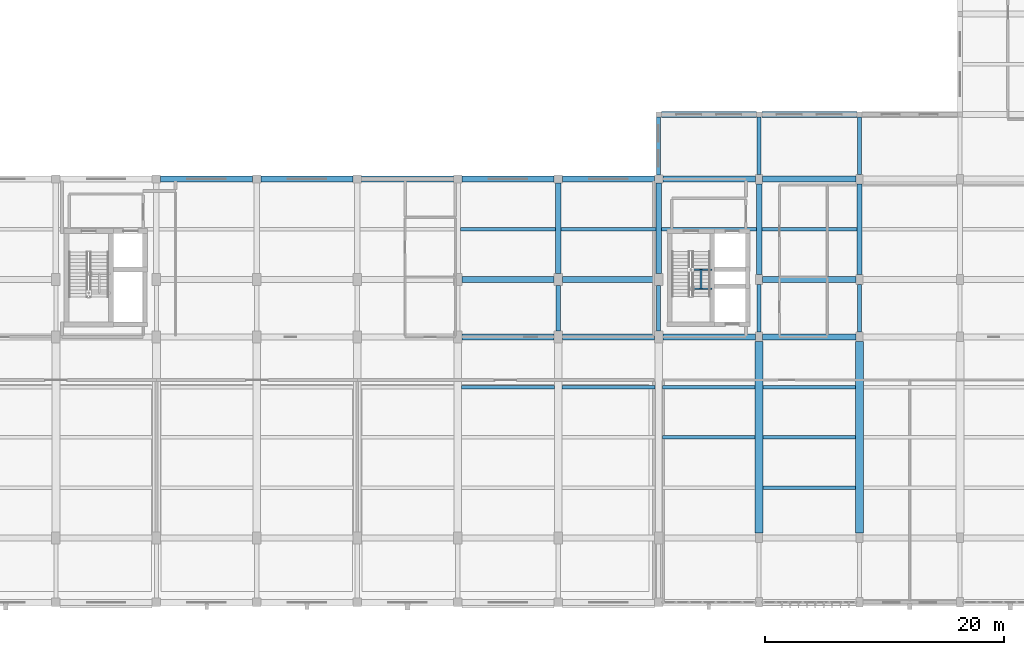
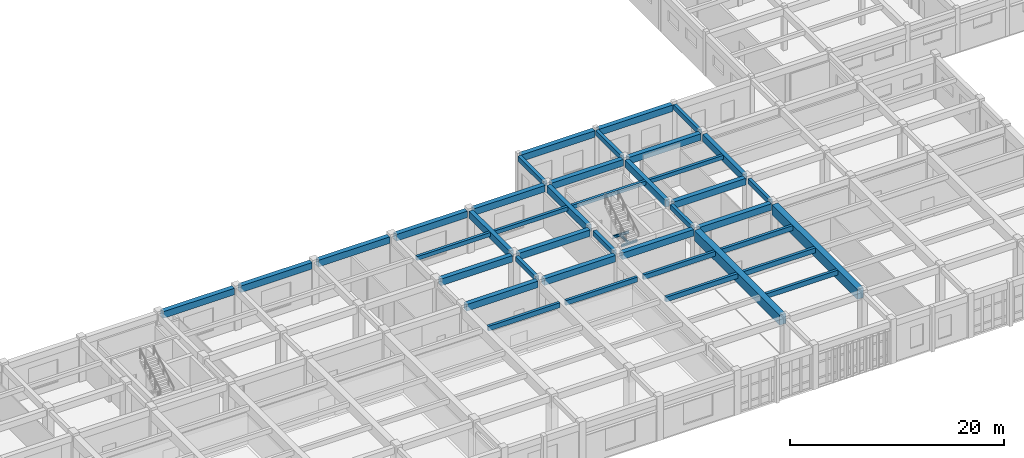
# One storey, part 29 of 106: 43 beams.
"""IFC4 building model written with IfcOpenShell, lengths in metres."""

from ifc_helpers import new_model, si_unit, direction, frame, origin, origin_2d, place, context, subcontext, project, spatial, rectangle, i_section, extrude, material, material_profile, profile_set, type_object, element, save


model = new_model("IFC4")

# Units and contexts
model_context = context("Model", 3, precision=1e-05, world=origin(), true_north=direction((0.0, 1.0)))
body_context = subcontext(model_context, "Body", "Model", "MODEL_VIEW")
ifc_project = project(units=[si_unit("LENGTHUNIT", "METRE"), si_unit("AREAUNIT", "SQUARE_METRE"), si_unit("VOLUMEUNIT", "CUBIC_METRE"), si_unit("PLANEANGLEUNIT", "RADIAN"), si_unit("MASSUNIT", "GRAM", prefix="KILO")], contexts=[model_context])

# Site, building, storey
site_placement = place(None, origin())
site = spatial("IfcSite", under=ifc_project, at=site_placement, CompositionType="ELEMENT")
building_placement = place(site_placement, origin())
building = spatial("IfcBuilding", under=site, at=building_placement, Name="Krzemoval Escarpment Law Courts", CompositionType="ELEMENT")
storey_placement = place(building_placement, frame((0.0, 0.0, 5.10009765625)))
storey = spatial("IfcBuildingStorey", under=building, at=storey_placement, Name="L01", CompositionType="ELEMENT", Elevation=5.10009765625)

# Beams
ifc_material_1 = material(Name="Concrete C50/60", Category="concrete")
ifc_material_profile_1 = material_profile(ifc_material_1, rectangle(XDim=0.64990234375, YDim=1.14990234375, at=origin_2d()), Name="PTG 650x1150")
ifc_profile_set_1 = profile_set([ifc_material_profile_1], Name="Concrete C50/60")
beam_type_1 = type_object("IfcBeamType", Name="BM-PTG-650x1150", PredefinedType="BEAM", material=ifc_profile_set_1)
for number, where, z_axis, x_axis, name in (
    (1, (117.60009765625, 5.800048828125, 4.244873046875), (0.0, 1.0, 0.0), (-1.0, 0.0, 0.0), "Beam FG-L01-1502"),
    (2, (126.0, 5.800048828125, 4.244873046875), (0.0, 1.0, 0.0), (-1.0, 0.0, 0.0), "Beam FG-L01-1509"),
):
    element("IfcBeam", number, at=place(storey_placement, frame(where, z_axis=z_axis, x_axis=x_axis)), inside=storey, type_object=beam_type_1, Name=name, PredefinedType="BEAM", context=body_context, shape_type="SweptSolid", body=[
        extrude(rectangle(XDim=0.64990234375, YDim=1.14990234375, at=origin_2d()), origin(), (0.0, 0.0, 1.0), 16.0),
    ])
ifc_material_2 = material(Name="Concrete C40/50", Category="concrete")
ifc_material_profile_2 = material_profile(ifc_material_2, rectangle(XDim=0.35009765625, YDim=0.550048828125, at=origin_2d()), Name="RCB 350x550")
ifc_profile_set_2 = profile_set([ifc_material_profile_2], Name="Concrete C40/50")
beam_type_2 = type_object("IfcBeamType", Name="BM-RC-350x550", PredefinedType="BEAM", material=ifc_profile_set_2)
for number, where, z_axis, x_axis, name in (
    (3, (100.800048828125, 22.699951171875, 4.544921875), (0.0, 1.0, 0.0), (-1.0, 0.0, 0.0), "Beam FG-L01-1490"),
    (4, (109.199951171875, 22.699951171875, 4.544921875), (0.0, 1.0, 0.0), (-1.0, 0.0, 0.0), "Beam FG-L01-1496"),
):
    element("IfcBeam", number, at=place(storey_placement, frame(where, z_axis=z_axis, x_axis=x_axis)), inside=storey, type_object=beam_type_2, Name=name, PredefinedType="BEAM", context=body_context, shape_type="SweptSolid", body=[
        extrude(rectangle(XDim=0.35009765625, YDim=0.550048828125, at=origin_2d()), origin(), (0.0, 0.0, 1.0), 3.800048828125),
    ])
beam_1_placement = place(storey_placement, frame((109.199951171875, 35.75, 4.544921875), z_axis=(0.0, 1.0, 0.0), x_axis=(-1.0, 0.0, 0.0)))
element("IfcBeam", 5, at=beam_1_placement, inside=storey, type_object=beam_type_2, Name="Beam FG-L01-1498", PredefinedType="BEAM", context=body_context, shape_type="SweptSolid", body=[
    extrude(rectangle(XDim=0.35009765625, YDim=0.550048828125, at=origin_2d()), origin(), (0.0, 0.0, 1.0), 4.824951171875),
])
beam_2_placement = place(storey_placement, frame((117.60009765625, 22.60009765625, 4.544921875), z_axis=(0.0, 1.0, 0.0), x_axis=(-1.0, 0.0, 0.0)))
element("IfcBeam", 6, at=beam_2_placement, inside=storey, type_object=beam_type_2, Name="Beam FG-L01-1503", PredefinedType="BEAM", context=body_context, shape_type="SweptSolid", body=[
    extrude(rectangle(XDim=0.35009765625, YDim=0.550048828125, at=origin_2d()), origin(), (0.0, 0.0, 1.0), 4.0),
])
beam_3_placement = place(storey_placement, frame((117.60009765625, 35.800048828125, 4.544921875), z_axis=(0.0, 1.0, 0.0), x_axis=(-1.0, 0.0, 0.0)))
element("IfcBeam", 7, at=beam_3_placement, inside=storey, type_object=beam_type_2, Name="Beam FG-L01-1505", PredefinedType="BEAM", context=body_context, shape_type="SweptSolid", body=[
    extrude(rectangle(XDim=0.35009765625, YDim=0.550048828125, at=origin_2d()), origin(), (0.0, 0.0, 1.0), 4.77490234375),
])
beam_4_placement = place(storey_placement, frame((126.0, 22.60009765625, 4.544921875), z_axis=(0.0, 1.0, 0.0), x_axis=(-1.0, 0.0, 0.0)))
element("IfcBeam", 8, at=beam_4_placement, inside=storey, type_object=beam_type_2, Name="Beam FG-L01-1510", PredefinedType="BEAM", context=body_context, shape_type="SweptSolid", body=[
    extrude(rectangle(XDim=0.35009765625, YDim=0.550048828125, at=origin_2d()), origin(), (0.0, 0.0, 1.0), 4.0),
])
beam_5_placement = place(storey_placement, frame((126.0, 35.800048828125, 4.544921875), z_axis=(0.0, 1.0, 0.0), x_axis=(-1.0, 0.0, 0.0)))
element("IfcBeam", 9, at=beam_5_placement, inside=storey, type_object=beam_type_2, Name="Beam FG-L01-1512", PredefinedType="BEAM", context=body_context, shape_type="SweptSolid", body=[
    extrude(rectangle(XDim=0.35009765625, YDim=0.550048828125, at=origin_2d()), origin(), (0.0, 0.0, 1.0), 4.77490234375),
])
ifc_material_3 = material(Name="Concrete C40/50", Category="concrete")
ifc_material_profile_3 = material_profile(ifc_material_3, rectangle(XDim=0.449951171875, YDim=0.800048828125, at=origin_2d()), Name="RCB 450x800")
ifc_profile_set_3 = profile_set([ifc_material_profile_3], Name="Concrete C40/50")
beam_type_3 = type_object("IfcBeamType", Name="BM-RC-450x800", PredefinedType="BEAM", material=ifc_profile_set_3)
for number, where, z_axis, x_axis, name in (
    (10, (100.800048828125, 27.5, 4.419921875), (0.0, 1.0, 0.0), (-1.0, 0.0, 0.0), "Beam FG-L01-1491"),
    (11, (109.199951171875, 27.5, 4.419921875), (0.0, 1.0, 0.0), (-1.0, 0.0, 0.0), "Beam FG-L01-1497"),
):
    element("IfcBeam", number, at=place(storey_placement, frame(where, z_axis=z_axis, x_axis=x_axis)), inside=storey, type_object=beam_type_3, Name=name, PredefinedType="BEAM", context=body_context, shape_type="SweptSolid", body=[
        extrude(rectangle(XDim=0.449951171875, YDim=0.800048828125, at=origin_2d()), origin(), (0.0, 0.0, 1.0), 7.550048828125),
    ])
for number, where, z_axis, x_axis, name in (
    (12, (117.60009765625, 27.39990234375, 4.419921875), (0.0, 1.0, 0.0), (-1.0, 0.0, 0.0), "Beam FG-L01-1504"),
    (13, (126.0, 27.39990234375, 4.419921875), (0.0, 1.0, 0.0), (-1.0, 0.0, 0.0), "Beam FG-L01-1511"),
):
    element("IfcBeam", number, at=place(storey_placement, frame(where, z_axis=z_axis, x_axis=x_axis)), inside=storey, type_object=beam_type_3, Name=name, PredefinedType="BEAM", context=body_context, shape_type="SweptSolid", body=[
        extrude(rectangle(XDim=0.449951171875, YDim=0.800048828125, at=origin_2d()), origin(), (0.0, 0.0, 1.0), 7.60009765625),
    ])
ifc_material_4 = material(Name="Concrete C40/50", Category="concrete")
ifc_material_profile_4 = material_profile(ifc_material_4, rectangle(XDim=0.5, YDim=0.75, at=origin_2d()), Name="RCB 500x750")
ifc_profile_set_4 = profile_set([ifc_material_profile_4], Name="Concrete C40/50")
beam_type_4 = type_object("IfcBeamType", Name="BM-RC-500x750", PredefinedType="BEAM", material=ifc_profile_set_4)
beam_6_placement = place(storey_placement, frame((92.75, 22.199951171875, 4.44482421875), z_axis=(1.0, 0.0, 0.0), x_axis=(0.0, 1.0, 0.0)))
element("IfcBeam", 14, at=beam_6_placement, inside=storey, type_object=beam_type_4, Name="Beam FG-L01-1192", PredefinedType="BEAM", context=body_context, shape_type="SweptSolid", body=[
    extrude(rectangle(XDim=0.5, YDim=0.75, at=origin_2d()), origin(), (0.0, 0.0, 1.0), 7.699951171875),
])
beam_7_placement = place(storey_placement, frame((101.14990234375, 22.199951171875, 4.44482421875), z_axis=(1.0, 0.0, 0.0), x_axis=(0.0, 1.0, 0.0)))
element("IfcBeam", 15, at=beam_7_placement, inside=storey, type_object=beam_type_4, Name="Beam FG-L01-1193", PredefinedType="BEAM", context=body_context, shape_type="SweptSolid", body=[
    extrude(rectangle(XDim=0.5, YDim=0.75, at=origin_2d()), origin(), (0.0, 0.0, 1.0), 7.7001953125),
])
beam_8_placement = place(storey_placement, frame((109.550048828125, 22.199951171875, 4.44482421875), z_axis=(1.0, 0.0, 0.0), x_axis=(0.0, 1.0, 0.0)))
element("IfcBeam", 16, at=beam_8_placement, inside=storey, type_object=beam_type_4, Name="Beam FG-L01-1194", PredefinedType="BEAM", context=body_context, shape_type="SweptSolid", body=[
    extrude(rectangle(XDim=0.5, YDim=0.75, at=origin_2d()), origin(), (0.0, 0.0, 1.0), 7.75),
])
beam_9_placement = place(storey_placement, frame((117.89990234375, 22.199951171875, 4.44482421875), z_axis=(1.0, 0.0, 0.0), x_axis=(0.0, 1.0, 0.0)))
element("IfcBeam", 17, at=beam_9_placement, inside=storey, type_object=beam_type_4, Name="Beam FG-L01-1195", PredefinedType="BEAM", context=body_context, shape_type="SweptSolid", body=[
    extrude(rectangle(XDim=0.5, YDim=0.75, at=origin_2d()), origin(), (0.0, 0.0, 1.0), 7.800048828125),
])
beam_10_placement = place(storey_placement, frame((92.75, 27.0, 4.44482421875), z_axis=(1.0, 0.0, 0.0), x_axis=(0.0, 1.0, 0.0)))
element("IfcBeam", 18, at=beam_10_placement, inside=storey, type_object=beam_type_4, Name="Beam FG-L01-1209", PredefinedType="BEAM", context=body_context, shape_type="SweptSolid", body=[
    extrude(rectangle(XDim=0.5, YDim=0.75, at=origin_2d()), origin(), (0.0, 0.0, 1.0), 7.699951171875),
])
beam_11_placement = place(storey_placement, frame((101.14990234375, 27.0, 4.44482421875), z_axis=(1.0, 0.0, 0.0), x_axis=(0.0, 1.0, 0.0)))
element("IfcBeam", 19, at=beam_11_placement, inside=storey, type_object=beam_type_4, Name="Beam FG-L01-1210", PredefinedType="BEAM", context=body_context, shape_type="SweptSolid", body=[
    extrude(rectangle(XDim=0.5, YDim=0.75, at=origin_2d()), origin(), (0.0, 0.0, 1.0), 7.7001953125),
])
beam_12_placement = place(storey_placement, frame((117.89990234375, 27.0, 4.44482421875), z_axis=(1.0, 0.0, 0.0), x_axis=(0.0, 1.0, 0.0)))
element("IfcBeam", 20, at=beam_12_placement, inside=storey, type_object=beam_type_4, Name="Beam FG-L01-1211", PredefinedType="BEAM", context=body_context, shape_type="SweptSolid", body=[
    extrude(rectangle(XDim=0.5, YDim=0.75, at=origin_2d()), origin(), (0.0, 0.0, 1.0), 7.800048828125),
])
for number, where, z_axis, x_axis, name in (
    (21, (67.550048828125, 35.39990234375, 4.44482421875), (1.0, 0.0, 0.0), (0.0, 1.0, 0.0), "Beam FG-L01-1223"),
    (22, (75.949951171875, 35.39990234375, 4.44482421875), (1.0, 0.0, 0.0), (0.0, 1.0, 0.0), "Beam FG-L01-1224"),
    (23, (84.35009765625, 35.39990234375, 4.44482421875), (1.0, 0.0, 0.0), (0.0, 1.0, 0.0), "Beam FG-L01-1225"),
    (24, (92.75, 35.39990234375, 4.44482421875), (1.0, 0.0, 0.0), (0.0, 1.0, 0.0), "Beam FG-L01-1226"),
):
    element("IfcBeam", number, at=place(storey_placement, frame(where, z_axis=z_axis, x_axis=x_axis)), inside=storey, type_object=beam_type_4, Name=name, PredefinedType="BEAM", context=body_context, shape_type="SweptSolid", body=[
        extrude(rectangle(XDim=0.5, YDim=0.75, at=origin_2d()), origin(), (0.0, 0.0, 1.0), 7.699951171875),
    ])
beam_13_placement = place(storey_placement, frame((101.14990234375, 35.39990234375, 4.44482421875), z_axis=(1.0, 0.0, 0.0), x_axis=(0.0, 1.0, 0.0)))
element("IfcBeam", 25, at=beam_13_placement, inside=storey, type_object=beam_type_4, Name="Beam FG-L01-1227", PredefinedType="BEAM", context=body_context, shape_type="SweptSolid", body=[
    extrude(rectangle(XDim=0.5, YDim=0.75, at=origin_2d()), origin(), (0.0, 0.0, 1.0), 7.7001953125),
])
beam_14_placement = place(storey_placement, frame((109.550048828125, 35.39990234375, 4.44482421875), z_axis=(1.0, 0.0, 0.0), x_axis=(0.0, 1.0, 0.0)))
element("IfcBeam", 26, at=beam_14_placement, inside=storey, type_object=beam_type_4, Name="Beam FG-L01-1228", PredefinedType="BEAM", context=body_context, shape_type="SweptSolid", body=[
    extrude(rectangle(XDim=0.5, YDim=0.75, at=origin_2d()), origin(), (0.0, 0.0, 1.0), 7.75),
])
beam_15_placement = place(storey_placement, frame((117.89990234375, 35.39990234375, 4.44482421875), z_axis=(1.0, 0.0, 0.0), x_axis=(0.0, 1.0, 0.0)))
element("IfcBeam", 27, at=beam_15_placement, inside=storey, type_object=beam_type_4, Name="Beam FG-L01-1229", PredefinedType="BEAM", context=body_context, shape_type="SweptSolid", body=[
    extrude(rectangle(XDim=0.5, YDim=0.75, at=origin_2d()), origin(), (0.0, 0.0, 1.0), 7.800048828125),
])
for number, where, z_axis, x_axis, name in (
    (28, (109.425048828125, 40.800048828125, 4.44482421875), (1.0, 0.0, 0.0), (0.0, 1.0, 0.0), "Beam FG-L01-1236"),
    (29, (117.824951171875, 40.800048828125, 4.44482421875), (1.0, 0.0, 0.0), (0.0, 1.0, 0.0), "Beam FG-L01-1237"),
):
    element("IfcBeam", number, at=place(storey_placement, frame(where, z_axis=z_axis, x_axis=x_axis)), inside=storey, type_object=beam_type_4, Name=name, PredefinedType="BEAM", context=body_context, shape_type="SweptSolid", body=[
        extrude(rectangle(XDim=0.5, YDim=0.75, at=origin_2d()), origin(), (0.0, 0.0, 1.0), 7.949951171875),
    ])
ifc_material_5 = material(Name="Concrete C40/50", Category="concrete")
ifc_material_profile_5 = material_profile(ifc_material_5, rectangle(XDim=0.300048828125, YDim=0.449951171875, at=origin_2d()), Name="RCB 300x450")
ifc_profile_set_5 = profile_set([ifc_material_profile_5], Name="Concrete C40/50")
beam_type_5 = type_object("IfcBeamType", Name="JST-RC-300x450", PredefinedType="JOIST", material=ifc_profile_set_5)
beam_16_placement = place(storey_placement, frame((92.625, 31.199951171875, 4.594970703125), z_axis=(1.0, 0.0, 0.0), x_axis=(0.0, 1.0, 0.0)))
element("IfcBeam", 30, at=beam_16_placement, inside=storey, type_object=beam_type_5, Name="Secondary Joist FJ-L01-1664", PredefinedType="JOIST", context=body_context, shape_type="SweptSolid", body=[
    extrude(rectangle(XDim=0.300048828125, YDim=0.449951171875, at=origin_2d()), origin(), (0.0, 0.0, 1.0), 7.949951171875),
])
beam_17_placement = place(storey_placement, frame((101.02490234375, 31.199951171875, 4.594970703125), z_axis=(1.0, 0.0, 0.0), x_axis=(0.0, 1.0, 0.0)))
element("IfcBeam", 31, at=beam_17_placement, inside=storey, type_object=beam_type_5, Name="Secondary Joist FJ-L01-1669", PredefinedType="JOIST", context=body_context, shape_type="SweptSolid", body=[
    extrude(rectangle(XDim=0.300048828125, YDim=0.449951171875, at=origin_2d()), origin(), (0.0, 0.0, 1.0), 7.9501953125),
])
for number, where, z_axis, x_axis, name in (
    (32, (109.425048828125, 31.199951171875, 4.594970703125), (1.0, 0.0, 0.0), (0.0, 1.0, 0.0), "Secondary Joist FJ-L01-1674"),
    (33, (117.824951171875, 31.199951171875, 4.594970703125), (1.0, 0.0, 0.0), (0.0, 1.0, 0.0), "Secondary Joist FJ-L01-1679"),
):
    element("IfcBeam", number, at=place(storey_placement, frame(where, z_axis=z_axis, x_axis=x_axis)), inside=storey, type_object=beam_type_5, Name=name, PredefinedType="JOIST", context=body_context, shape_type="SweptSolid", body=[
        extrude(rectangle(XDim=0.300048828125, YDim=0.449951171875, at=origin_2d()), origin(), (0.0, 0.0, 1.0), 7.949951171875),
    ])
ifc_material_6 = material(Name="Concrete C40/50", Category="concrete")
ifc_material_profile_6 = material_profile(ifc_material_6, rectangle(XDim=0.300048828125, YDim=0.550048828125, at=origin_2d()), Name="RCB 300x550")
ifc_profile_set_6 = profile_set([ifc_material_profile_6], Name="Concrete C40/50")
beam_type_6 = type_object("IfcBeamType", Name="JST-RC-300x550", PredefinedType="JOIST", material=ifc_profile_set_6)
for number, where, z_axis, x_axis, name in (
    (34, (92.72509765625, 18.0, 4.544921875), (1.0, 0.0, 0.0), (0.0, 1.0, 0.0), "Secondary Joist FJ-L01-1663"),
    (35, (101.125, 18.0, 4.544921875), (1.0, 0.0, 0.0), (0.0, 1.0, 0.0), "Secondary Joist FJ-L01-1668"),
    (36, (109.52490234375, 13.800048828125, 4.544921875), (1.0, 0.0, 0.0), (0.0, 1.0, 0.0), "Secondary Joist FJ-L01-1672"),
    (37, (109.52490234375, 18.0, 4.544921875), (1.0, 0.0, 0.0), (0.0, 1.0, 0.0), "Secondary Joist FJ-L01-1673"),
    (38, (117.925048828125, 9.60009765625, 4.544921875), (1.0, 0.0, 0.0), (0.0, 1.0, 0.0), "Secondary Joist FJ-L01-1676"),
    (39, (117.925048828125, 13.800048828125, 4.544921875), (1.0, 0.0, 0.0), (0.0, 1.0, 0.0), "Secondary Joist FJ-L01-1677"),
    (40, (117.925048828125, 18.0, 4.544921875), (1.0, 0.0, 0.0), (0.0, 1.0, 0.0), "Secondary Joist FJ-L01-1678"),
):
    element("IfcBeam", number, at=place(storey_placement, frame(where, z_axis=z_axis, x_axis=x_axis)), inside=storey, type_object=beam_type_6, Name=name, PredefinedType="JOIST", context=body_context, shape_type="SweptSolid", body=[
        extrude(rectangle(XDim=0.300048828125, YDim=0.550048828125, at=origin_2d()), origin(), (0.0, 0.0, 1.0), 7.75),
    ])
ifc_material_7 = material(Name="Steel S355", Category="steel")
ifc_material_profile_7 = material_profile(ifc_material_7, i_section(OverallWidth=0.14990234375, OverallDepth=0.300048828125, WebThickness=0.007080078125, FlangeThickness=0.0107421875, at=origin_2d()), Name="IPE 300")
ifc_profile_set_7 = profile_set([ifc_material_profile_7], Name="Steel S355")
beam_type_7 = type_object("IfcBeamType", Name="JST-S355-IPE300", PredefinedType="JOIST", material=ifc_profile_set_7)
for number, where, z_axis, x_axis, name in (
    (41, (111.89990234375, 26.219970703125, 2.27001953125), (1.0, 0.0, 0.0), (0.0, 1.0, 0.0), "Stair Well Crosshead SLHW-C6-L01-1"),
    (42, (111.89990234375, 27.820068359375, 2.27001953125), (1.0, 0.0, 0.0), (0.0, 1.0, 0.0), "Stair Well Crosshead SLHW-C6-L01-2"),
):
    element("IfcBeam", number, at=place(storey_placement, frame(where, z_axis=z_axis, x_axis=x_axis)), inside=storey, type_object=beam_type_7, Name=name, PredefinedType="JOIST", context=body_context, shape_type="SweptSolid", body=[
        extrude(i_section(OverallWidth=0.14990234375, OverallDepth=0.300048828125, WebThickness=0.007080078125, FlangeThickness=0.0107421875, at=origin_2d()), origin(), (0.0, 0.0, 1.0), 1.760009765625),
    ])
beam_18_placement = place(storey_placement, frame((112.75, 26.219970703125, 2.27001953125), z_axis=(0.0, 1.0, 0.0), x_axis=(-1.0, 0.0, 0.0)))
element("IfcBeam", 43, at=beam_18_placement, inside=storey, type_object=beam_type_7, Name="Stair Flight Support Stringer SLTW-C6-L01", PredefinedType="JOIST", context=body_context, shape_type="SweptSolid", body=[
    extrude(i_section(OverallWidth=0.14990234375, OverallDepth=0.300048828125, WebThickness=0.007080078125, FlangeThickness=0.0107421875, at=origin_2d()), origin(), (0.0, 0.0, 1.0), 1.60009765625),
])

save(model, "model.ifc")
